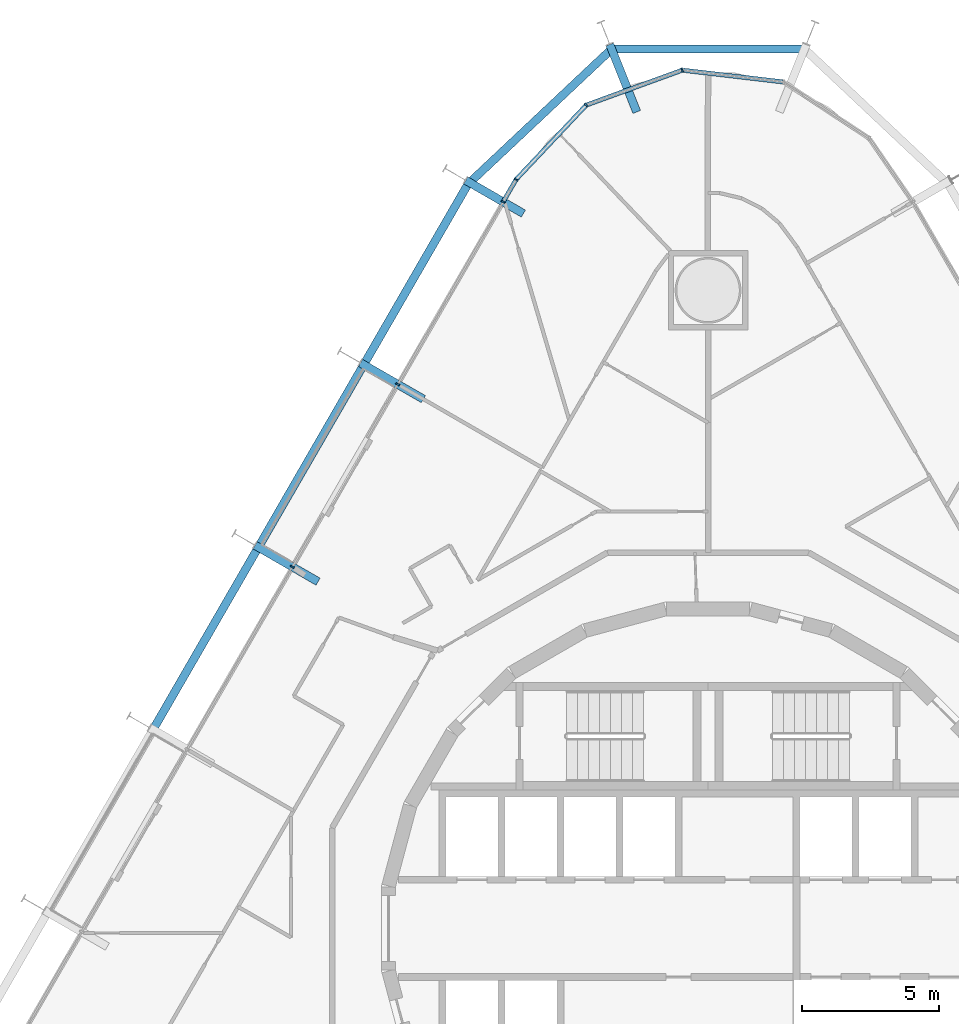
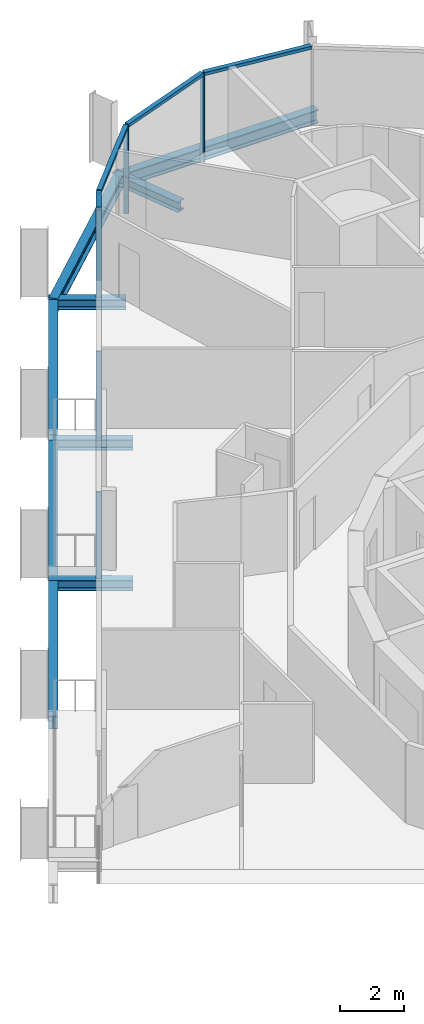
# One storey, part 9 of 20: 10 members, 9 beams, 2 elements without a shape of their own.
"""IFC4 building model written with IfcOpenShell, lengths in metres."""

from ifc_helpers import new_model, si_unit, direction, frame, origin, origin_2d, place, context, subcontext, project, spatial, rectangle, i_section, extrude, material, layer, layer_set, material_profile, profile_set, type_object, element, aggregate, save


model = new_model("IFC4")

# Units and contexts
model_context = context("Model", 3, precision=1e-05, world=origin(), true_north=direction((0.0, 1.0)))
body_context = subcontext(model_context, "Body", "Model", "MODEL_VIEW")
ifc_project = project(units=[si_unit("LENGTHUNIT", "METRE"), si_unit("AREAUNIT", "SQUARE_METRE"), si_unit("VOLUMEUNIT", "CUBIC_METRE"), si_unit("PLANEANGLEUNIT", "RADIAN"), si_unit("MASSUNIT", "GRAM", prefix="KILO")], contexts=[model_context])

# Site, building, storey
site_placement = place(None, origin())
site = spatial("IfcSite", under=ifc_project, at=site_placement, CompositionType="ELEMENT")
building_placement = place(site_placement, origin())
building = spatial("IfcBuilding", under=site, at=building_placement, Name="Spindle Arch Residences", CompositionType="ELEMENT")
storey_placement = place(building_placement, frame((0.0, 0.0, 66.39990234375)))
storey = spatial("IfcBuildingStorey", under=building, at=storey_placement, Name="L15", CompositionType="ELEMENT", Elevation=66.39990234375)

# Curtain wall, members
ifc_material_1 = material(Name="Aluminium bronze unitised frame with tinted glass", Category="aluminium")
ifc_layer_1 = layer(ifc_material_1, 0.159912109375)
ifc_layer_set_1 = layer_set([ifc_layer_1], Name="CW-D corner wall on the fillet arcs")
curtain_wall_type_1 = type_object("IfcCurtainWallType", Name="CW-D corner wall on the fillet arcs", PredefinedType="NOTDEFINED", material=ifc_layer_set_1)
curtain_wall_1_placement = place(storey_placement, origin())
curtain_wall_1 = element("IfcCurtainWall", 1, at=curtain_wall_1_placement, inside=storey, type_object=curtain_wall_type_1, Name="CW-D L15 run 3", PredefinedType="NOTDEFINED")
ifc_material_2 = material(Name="Aluminium bronze anodised mullion", Category="aluminium")
ifc_material_profile_1 = material_profile(ifc_material_2, rectangle(XDim=0.159912109375, YDim=0.06005859375, at=origin_2d()), Name="MU 60x160")
ifc_profile_set_1 = profile_set([ifc_material_profile_1], Name="Aluminium bronze anodised mullion")
member_type_1 = type_object("IfcMemberType", Name="Bronze mullion 60x160", PredefinedType="MULLION", material=ifc_profile_set_1)
member_1_placement = place(storey_placement, frame((-0.93798828125, 31.28515625, -0.3798828125), z_axis=(0.0, 0.0, 1.0), x_axis=(0.342020141538, -0.939692621437, 0.0)))
member_1 = element("IfcMember", 2, at=member_1_placement, type_object=member_type_1, Name="CW-D mullion 03", PredefinedType="MULLION", context=body_context, shape_type="SweptSolid", body=[
    extrude(rectangle(XDim=0.159912109375, YDim=0.06005859375, at=origin_2d()), origin(), (0.0, 0.0, 1.0), 3.31005859375),
])
member_2_placement = place(storey_placement, frame((-4.43994140625, 30.010498046875, -0.3798828125), z_axis=(0.0, 0.0, 1.0), x_axis=(0.727373640284, -0.686241639236, 0.0)))
member_2 = element("IfcMember", 3, at=member_2_placement, type_object=member_type_1, Name="CW-D mullion 04", PredefinedType="MULLION", context=body_context, shape_type="SweptSolid", body=[
    extrude(rectangle(XDim=0.159912109375, YDim=0.06005859375, at=origin_2d()), origin(), (0.0, 0.0, 1.0), 3.31005859375),
])
member_3_placement = place(storey_placement, frame((-6.99755859375, 27.2998046875, -0.3798828125), z_axis=(0.0, 0.0, 1.0), x_axis=(0.866025403784, -0.5, 0.0)))
member_3 = element("IfcMember", 4, at=member_3_placement, type_object=member_type_1, Name="CW-D mullion 05", PredefinedType="MULLION", context=body_context, shape_type="SweptSolid", body=[
    extrude(rectangle(XDim=0.159912109375, YDim=0.06005859375, at=origin_2d()), origin(), (0.0, 0.0, 1.0), 3.31005859375),
])

ifc_material_3 = material(Name="Aluminium bronze unitised frame with tinted glass", Category="aluminium")
ifc_layer_2 = layer(ifc_material_3, 0.159912109375)
ifc_layer_set_2 = layer_set([ifc_layer_2], Name="CW-C typical residential unitised wall")
curtain_wall_type_2 = type_object("IfcCurtainWallType", Name="CW-C typical residential unitised wall", PredefinedType="NOTDEFINED", material=ifc_layer_set_2)
curtain_wall_2_placement = place(storey_placement, origin())
curtain_wall_2 = element("IfcCurtainWall", 5, at=curtain_wall_2_placement, inside=storey, type_object=curtain_wall_type_2, Name="CW-C L15 run 4", PredefinedType="NOTDEFINED")
member_4_placement = place(storey_placement, frame((-7.46923828125, 26.48291015625, -0.3798828125), z_axis=(0.0, 0.0, 1.0), x_axis=(0.866025403784, -0.5, 0.0)))
member_4 = element("IfcMember", 6, at=member_4_placement, type_object=member_type_1, Name="CW-C mullion 13", PredefinedType="MULLION", context=body_context, shape_type="SweptSolid", body=[
    extrude(rectangle(XDim=0.159912109375, YDim=0.06005859375, at=origin_2d()), origin(), (0.0, 0.0, 1.0), 3.31005859375),
])
member_5_placement = place(storey_placement, frame((-11.309326171875, 19.83154296875, -0.3798828125), z_axis=(0.0, 0.0, 1.0), x_axis=(0.866025403784, -0.5, 0.0)))
member_5 = element("IfcMember", 7, at=member_5_placement, type_object=member_type_1, Name="CW-C mullion 14", PredefinedType="MULLION", context=body_context, shape_type="SweptSolid", body=[
    extrude(rectangle(XDim=0.159912109375, YDim=0.06005859375, at=origin_2d()), origin(), (0.0, 0.0, 1.0), 3.31005859375),
])
member_6_placement = place(storey_placement, frame((-15.149169921875, 13.180419921875, -0.3798828125), z_axis=(0.0, 0.0, 1.0), x_axis=(0.866025403784, -0.5, 0.0)))
member_6 = element("IfcMember", 8, at=member_6_placement, type_object=member_type_1, Name="CW-C mullion 15", PredefinedType="MULLION", context=body_context, shape_type="SweptSolid", body=[
    extrude(rectangle(XDim=0.159912109375, YDim=0.06005859375, at=origin_2d()), origin(), (0.0, 0.0, 1.0), 3.31005859375),
])
aggregate(curtain_wall_2, [member_4, member_5, member_6])

# Member
ifc_material_4 = material(Name="Aluminium bronze anodised transom", Category="aluminium")
ifc_material_profile_2 = material_profile(ifc_material_4, rectangle(XDim=0.159912109375, YDim=0.1201171875, at=origin_2d()), Name="TR 120x160")
ifc_profile_set_2 = profile_set([ifc_material_profile_2], Name="Aluminium bronze anodised transom")
member_type_2 = type_object("IfcMemberType", Name="Bronze transom 120x160", PredefinedType="USERDEFINED", material=ifc_profile_set_2)
member_7_placement = place(storey_placement, frame((2.733642578125, 30.85595703125, 2.989990234375), z_axis=(-0.993234881174, 0.116122654204, 0.0), x_axis=(-0.116122654204, -0.993234881174, 0.0)))
member_7 = element("IfcMember", 9, at=member_7_placement, type_object=member_type_2, Name="CW-D transom 02", ObjectType="TRANSOM", PredefinedType="USERDEFINED", context=body_context, shape_type="SweptSolid", body=[
    extrude(rectangle(XDim=0.159912109375, YDim=0.1201171875, at=origin_2d()), origin(), (0.0, 0.0, 1.0), 3.666748046875),
])

member_8_placement = place(storey_placement, frame((-0.96630859375, 31.27490234375, 2.989990234375), z_axis=(-0.939686455819, -0.342037080957, 0.0), x_axis=(0.342037080957, -0.939686455819, 0.0)))
member_8 = element("IfcMember", 10, at=member_8_placement, type_object=member_type_2, Name="CW-D transom 03", ObjectType="TRANSOM", PredefinedType="USERDEFINED", context=body_context, shape_type="SweptSolid", body=[
    extrude(rectangle(XDim=0.159912109375, YDim=0.1201171875, at=origin_2d()), origin(), (0.0, 0.0, 1.0), 3.666748046875),
])

member_9_placement = place(storey_placement, frame((-4.460693359375, 29.98876953125, 2.989990234375), z_axis=(-0.686199156324, -0.727413718498, 0.0), x_axis=(0.727413718498, -0.686199156324, 0.0)))
member_9 = element("IfcMember", 11, at=member_9_placement, type_object=member_type_2, Name="CW-D transom 04", ObjectType="TRANSOM", PredefinedType="USERDEFINED", context=body_context, shape_type="SweptSolid", body=[
    extrude(rectangle(XDim=0.159912109375, YDim=0.1201171875, at=origin_2d()), origin(), (0.0, 0.0, 1.0), 3.666748046875),
])

member_10_placement = place(storey_placement, frame((-7.012451171875, 27.27392578125, 2.989990234375), z_axis=(-0.499913830031, -0.866075148324, 0.0), x_axis=(0.866075148324, -0.499913830031, 0.0)))
member_10 = element("IfcMember", 12, at=member_10_placement, type_object=member_type_2, Name="CW-D transom 05", ObjectType="TRANSOM", PredefinedType="USERDEFINED", context=body_context, shape_type="SweptSolid", body=[
    extrude(rectangle(XDim=0.159912109375, YDim=0.1201171875, at=origin_2d()), origin(), (0.0, 0.0, 1.0), 0.883544921875),
])

aggregate(curtain_wall_1, [member_7, member_1, member_8, member_2, member_9, member_3, member_10])

# Beams
ifc_material_5 = material(Name="Steel S460ML, intumescent coating R 120", Category="steel")
ifc_material_profile_3 = material_profile(ifc_material_5, i_section(OverallWidth=0.300048828125, OverallDepth=0.5, WebThickness=0.014404296875, FlangeThickness=0.028076171875, FilletRadius=0.027099609375, at=origin_2d()), Name="HEB 500")
ifc_profile_set_3 = profile_set([ifc_material_profile_3], Name="Steel S460ML, intumescent coating R 120")
beam_type_1 = type_object("IfcBeamType", Name="Exoskeleton edge beam HEB 500", PredefinedType="BEAM", material=ifc_profile_set_3)
beam_1_placement = place(storey_placement, frame((3.6181640625, 32.051513671875, -0.6298828125), z_axis=(-1.0, 0.0, 0.0), x_axis=(0.0, -1.0, 0.0)))
element("IfcBeam", 13, at=beam_1_placement, inside=storey, type_object=beam_type_1, Name="Exoskeleton edge beam 12", PredefinedType="BEAM", context=body_context, shape_type="SweptSolid", body=[
    extrude(i_section(OverallWidth=0.300048828125, OverallDepth=0.5, WebThickness=0.014404296875, FlangeThickness=0.028076171875, FilletRadius=0.027099609375, at=origin_2d()), origin(), (0.0, 0.0, 1.0), 7.236328125),
])
beam_2_placement = place(storey_placement, frame((-3.45849609375, 32.105712890625, -0.6298828125), z_axis=(-0.728394714383, -0.685157748303, 0.0), x_axis=(0.685157748303, -0.728394714383, 0.0)))
element("IfcBeam", 14, at=beam_2_placement, inside=storey, type_object=beam_type_1, Name="Exoskeleton edge beam 13", PredefinedType="BEAM", context=body_context, shape_type="SweptSolid", body=[
    extrude(i_section(OverallWidth=0.300048828125, OverallDepth=0.5, WebThickness=0.014404296875, FlangeThickness=0.028076171875, FilletRadius=0.027099609375, at=origin_2d()), origin(), (0.0, 0.0, 1.0), 7.250244140625),
])
beam_3_placement = place(storey_placement, frame((-8.775146484375, 27.086669921875, -0.6298828125), z_axis=(-0.500003477455, -0.866023396066, 0.0), x_axis=(0.866023396066, -0.500003477455, 0.0)))
element("IfcBeam", 15, at=beam_3_placement, inside=storey, type_object=beam_type_1, Name="Exoskeleton edge beam 14", PredefinedType="BEAM", context=body_context, shape_type="SweptSolid", body=[
    extrude(i_section(OverallWidth=0.300048828125, OverallDepth=0.5, WebThickness=0.014404296875, FlangeThickness=0.028076171875, FilletRadius=0.027099609375, at=origin_2d()), origin(), (0.0, 0.0, 1.0), 7.419921875),
])
for number, where, z_axis, x_axis, name in (
    (16, (-12.615234375, 20.435546875, -0.6298828125), (-0.49998923004, -0.866031621735, 0.0), (0.866031621735, -0.49998923004, 0.0), "Exoskeleton edge beam 15"),
    (17, (-16.455078125, 13.784423828125, -0.6298828125), (-0.5000139068, -0.866017374541, 0.0), (0.866017374541, -0.5000139068, 0.0), "Exoskeleton edge beam 16"),
):
    element("IfcBeam", number, at=place(storey_placement, frame(where, z_axis=z_axis, x_axis=x_axis)), inside=storey, type_object=beam_type_1, Name=name, PredefinedType="BEAM", context=body_context, shape_type="SweptSolid", body=[
        extrude(i_section(OverallWidth=0.300048828125, OverallDepth=0.5, WebThickness=0.014404296875, FlangeThickness=0.028076171875, FilletRadius=0.027099609375, at=origin_2d()), origin(), (0.0, 0.0, 1.0), 7.420166015625),
    ])
ifc_material_6 = material(Name="Steel S460ML, intumescent coating R 120", Category="steel")
ifc_material_profile_4 = material_profile(ifc_material_6, i_section(OverallWidth=0.300048828125, OverallDepth=0.389892578125, WebThickness=0.010986328125, FlangeThickness=0.01904296875, FilletRadius=0.027099609375, at=origin_2d()), Name="HEA 400")
ifc_profile_set_4 = profile_set([ifc_material_profile_4], Name="Steel S460ML, intumescent coating R 120")
beam_type_2 = type_object("IfcBeamType", Name="Floor outrigger HEA 400", PredefinedType="BEAM", material=ifc_profile_set_4)
beam_4_placement = place(storey_placement, frame((-3.581298828125, 32.220703125, -0.574951171875), z_axis=(0.371104734129, -0.928591016706, 0.0), x_axis=(0.928591016706, 0.371104734129, 0.0)))
element("IfcBeam", 18, at=beam_4_placement, inside=storey, type_object=beam_type_2, Name="Floor outrigger 13", PredefinedType="BEAM", context=body_context, shape_type="SweptSolid", body=[
    extrude(i_section(OverallWidth=0.300048828125, OverallDepth=0.389892578125, WebThickness=0.010986328125, FlangeThickness=0.01904296875, FilletRadius=0.027099609375, at=origin_2d()), origin(), (0.0, 0.0, 1.0), 2.64990234375),
])
beam_5_placement = place(storey_placement, frame((-8.828857421875, 27.267822265625, -0.574951171875), z_axis=(0.866002732682, -0.500039265445, 0.0), x_axis=(0.500039265445, 0.866002732682, 0.0)))
element("IfcBeam", 19, at=beam_5_placement, inside=storey, type_object=beam_type_2, Name="Floor outrigger 14", PredefinedType="BEAM", context=body_context, shape_type="SweptSolid", body=[
    extrude(i_section(OverallWidth=0.300048828125, OverallDepth=0.389892578125, WebThickness=0.010986328125, FlangeThickness=0.01904296875, FilletRadius=0.027099609375, at=origin_2d()), origin(), (0.0, 0.0, 1.0), 2.423583984375),
])
for number, where, z_axis, x_axis, name in (
    (20, (-12.6689453125, 20.61669921875, -0.574951171875), (0.866052124492, -0.499953715521, 0.0), (0.499953715521, 0.866052124492, 0.0), "Floor outrigger 15"),
    (21, (-16.5087890625, 13.965576171875, -0.574951171875), (0.865989200783, -0.500062700197, 0.0), (0.500062700197, 0.865989200783, 0.0), "Floor outrigger 16"),
):
    element("IfcBeam", number, at=place(storey_placement, frame(where, z_axis=z_axis, x_axis=x_axis)), inside=storey, type_object=beam_type_2, Name=name, PredefinedType="BEAM", context=body_context, shape_type="SweptSolid", body=[
        extrude(i_section(OverallWidth=0.300048828125, OverallDepth=0.389892578125, WebThickness=0.010986328125, FlangeThickness=0.01904296875, FilletRadius=0.027099609375, at=origin_2d()), origin(), (0.0, 0.0, 1.0), 2.650146484375),
    ])

save(model, "model.ifc")
